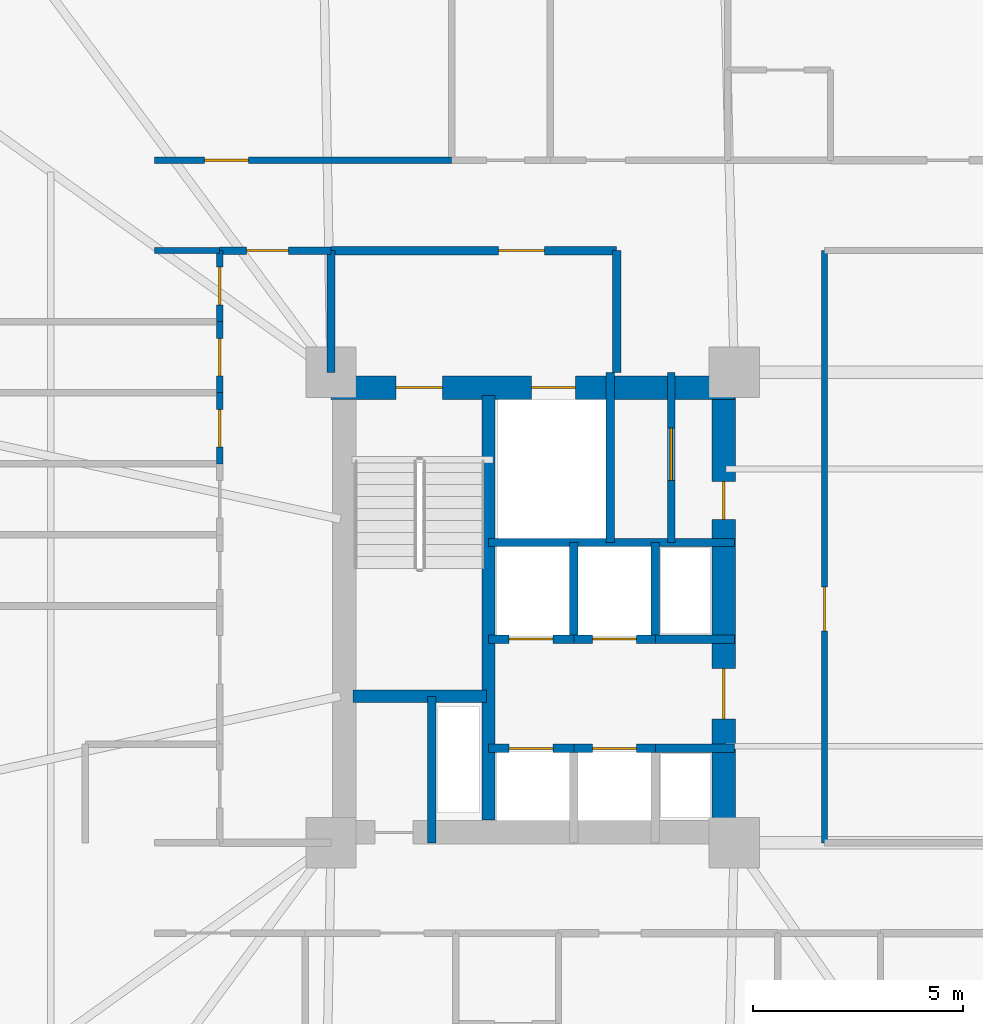
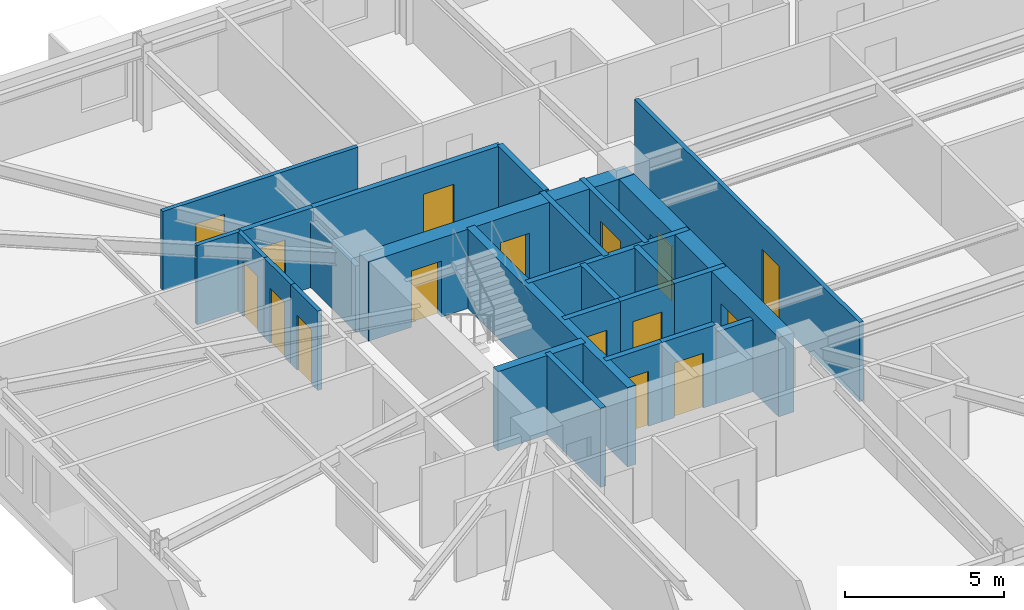
# One storey, part 15 of 21: 26 walls, 16 doors, 16 openings.
"""IFC4 building model written with IfcOpenShell, lengths in metres."""

from ifc_helpers import new_model, si_unit, direction, frame, frame_2d, origin, place, context, subcontext, project, spatial, rectangle, extrude, material, layer, layer_set, type_object, element, fill, save


model = new_model("IFC4")

# Units and contexts
model_context = context("Model", 3, precision=1e-05, world=origin(), true_north=direction((0.0, 1.0)))
body_context = subcontext(model_context, "Body", "Model", "MODEL_VIEW")
ifc_project = project(units=[si_unit("LENGTHUNIT", "METRE"), si_unit("AREAUNIT", "SQUARE_METRE"), si_unit("VOLUMEUNIT", "CUBIC_METRE"), si_unit("PLANEANGLEUNIT", "RADIAN"), si_unit("MASSUNIT", "GRAM", prefix="KILO")], contexts=[model_context])

# Site, building, storey
site_placement = place(None, origin())
site = spatial("IfcSite", under=ifc_project, at=site_placement, CompositionType="ELEMENT")
building_placement = place(site_placement, origin())
building = spatial("IfcBuilding", under=site, at=building_placement, Name="Qobustan Lattice House", CompositionType="ELEMENT")
storey_placement = place(building_placement, frame((0.0, 0.0, 30.35009765625)))
storey = spatial("IfcBuildingStorey", under=building, at=storey_placement, Name="L07", CompositionType="ELEMENT", Elevation=30.35009765625)

# Wall, openings, doors
ifc_material_1 = material(Name="Concrete C60/75", Category="concrete")
ifc_layer_1 = layer(ifc_material_1, 0.56005859375)
ifc_layer_set_1 = layer_set([ifc_layer_1], Name="Concrete C60/75")
wall_type_1 = type_object("IfcWallType", Name="WAL-CORE-600", PredefinedType="SHEAR", material=ifc_layer_set_1)
wall_1_placement = place(storey_placement, frame((-18.800048828125, 5.239990234375, 0.0), z_axis=(0.0, 0.0, 1.0), x_axis=(1.0, 0.0, 0.0)))
wall_1 = element("IfcWall", 1, at=wall_1_placement, inside=storey, type_object=wall_type_1, Name="L07 split-core shear wall CW-N", PredefinedType="SHEAR", context=body_context, shape_type="SweptSolid", body=[
    extrude(rectangle(XDim=9.60009765625, YDim=0.56005859375, at=frame_2d((4.800048828125, 0.0))), origin(), (0.0, 0.0, 1.0), 3.034912109375),
])
opening_1_placement = place(wall_1_placement, frame((1.550048828125, 0.0, 0.0)))
opening_1 = element("IfcOpeningElement", 2, at=opening_1_placement, cuts=wall_1, Name="Opening SD-01", PredefinedType="OPENING", context=body_context, shape_type="SweptSolid", body=[
    extrude(rectangle(XDim=1.10009765625, YDim=2.14990234375, at=frame_2d((0.550048828125, 1.074951171875))), frame((0.0, 0.2900390625, 0.0), z_axis=(0.0, -1.0, 0.0), x_axis=(1.0, 0.0, 0.0)), (0.0, 0.0, 1.0), 0.580078125),
])
opening_2_placement = place(wall_1_placement, frame((4.77490234375, 0.0, 0.0)))
opening_2 = element("IfcOpeningElement", 3, at=opening_2_placement, cuts=wall_1, Name="Opening LD-01", PredefinedType="OPENING", context=body_context, shape_type="SweptSolid", body=[
    extrude(rectangle(XDim=1.050048828125, YDim=2.10009765625, at=frame_2d((0.52490234375, 1.050048828125))), frame((0.0, 0.2900390625, 0.0), z_axis=(0.0, -1.0, 0.0), x_axis=(1.0, 0.0, 0.0)), (0.0, 0.0, 1.0), 0.580078125),
])
ifc_material_2 = material(Name="Persian walnut timber and steel frame door", Category="steel")
door_type_1 = type_object("IfcDoorType", Name="DOR-LIFT-LD-1050x2100", OperationType="NOTDEFINED", PredefinedType="DOOR", material=ifc_material_2)
door_1_placement = place(opening_2_placement, origin())
door_1 = element("IfcDoor", 4, at=door_1_placement, inside=storey, type_object=door_type_1, Name="L07 firefighting lift FF-W landing door", OperationType="DOUBLE_DOOR_SLIDING", OverallHeight=2.10009765625, OverallWidth=1.050048828125, PredefinedType="DOOR", context=body_context, shape_type="SweptSolid", body=[
    extrude(rectangle(XDim=1.050048828125, YDim=2.10009765625, at=frame_2d((0.52490234375, 1.050048828125))), frame((0.0, 0.02490234375, 0.0), z_axis=(0.0, -1.0, 0.0), x_axis=(1.0, 0.0, 0.0)), (0.0, 0.0, 1.0), 0.050048828125),
])
fill(opening_2, door_1)
ifc_material_3 = material(Name="Persian walnut timber and steel frame door", Category="steel")
door_type_2 = type_object("IfcDoorType", Name="DOR-STAIR-FD-1100x2150", OperationType="NOTDEFINED", PredefinedType="DOOR", material=ifc_material_3)
door_2_placement = place(opening_1_placement, origin())
door_2 = element("IfcDoor", 5, at=door_2_placement, inside=storey, type_object=door_type_2, Name="L07 exit stair ST-W1 fire door", OperationType="SINGLE_SWING_RIGHT", OverallHeight=2.14990234375, OverallWidth=1.10009765625, PredefinedType="DOOR", context=body_context, shape_type="SweptSolid", body=[
    extrude(rectangle(XDim=1.10009765625, YDim=2.14990234375, at=frame_2d((0.550048828125, 1.074951171875))), frame((0.0, 0.02490234375, 0.0), z_axis=(0.0, -1.0, 0.0), x_axis=(1.0, 0.0, 0.0)), (0.0, 0.0, 1.0), 0.050048828125),
])
fill(opening_1, door_2)

wall_2_placement = place(storey_placement, frame((-9.449951171875, -5.050048828125, 0.0), z_axis=(0.0, 0.0, 1.0), x_axis=(0.0, 1.0, 0.0)))
wall_2 = element("IfcWall", 6, at=wall_2_placement, inside=storey, type_object=wall_type_1, Name="L07 split-core shear wall CW-E", PredefinedType="SHEAR", context=body_context, shape_type="SweptSolid", body=[
    extrude(rectangle(XDim=10.10009765625, YDim=0.56005859375, at=frame_2d((5.050048828125, 0.0))), origin(), (0.0, 0.0, 1.0), 3.034912109375),
])
opening_3_placement = place(wall_2_placement, frame((7.14990234375, 0.0, 0.0)))
opening_3 = element("IfcOpeningElement", 7, at=opening_3_placement, cuts=wall_2, Name="Opening RD-01", PredefinedType="OPENING", context=body_context, shape_type="SweptSolid", body=[
    extrude(rectangle(XDim=0.89990234375, YDim=2.10009765625, at=frame_2d((0.449951171875, 1.050048828125))), frame((0.0, 0.2900390625, 0.0), z_axis=(0.0, -1.0, 0.0), x_axis=(1.0, 0.0, 0.0)), (0.0, 0.0, 1.0), 0.580078125),
])
opening_4_placement = place(wall_2_placement, frame((2.39990234375, 0.0, 0.0)))
opening_4 = element("IfcOpeningElement", 8, at=opening_4_placement, cuts=wall_2, Name="Opening FD-01", PredefinedType="OPENING", context=body_context, shape_type="SweptSolid", body=[
    extrude(rectangle(XDim=1.199951171875, YDim=2.14990234375, at=frame_2d((0.60009765625, 1.074951171875))), frame((0.0, 0.2900390625, 0.0), z_axis=(0.0, -1.0, 0.0), x_axis=(1.0, 0.0, 0.0)), (0.0, 0.0, 1.0), 0.580078125),
])
ifc_material_4 = material(Name="Persian walnut timber and steel frame door", Category="steel")
door_type_3 = type_object("IfcDoorType", Name="DOR-LOBBY-FD-1200x2150", OperationType="NOTDEFINED", PredefinedType="DOOR", material=ifc_material_4)
door_3_placement = place(opening_4_placement, origin())
door_3 = element("IfcDoor", 9, at=door_3_placement, inside=storey, type_object=door_type_3, Name="L07 West passenger lift lobby fire door", OperationType="SINGLE_SWING_LEFT", OverallHeight=2.14990234375, OverallWidth=1.199951171875, PredefinedType="DOOR", context=body_context, shape_type="SweptSolid", body=[
    extrude(rectangle(XDim=1.199951171875, YDim=2.14990234375, at=frame_2d((0.60009765625, 1.074951171875))), frame((0.0, 0.02490234375, 0.0), z_axis=(0.0, -1.0, 0.0), x_axis=(1.0, 0.0, 0.0)), (0.0, 0.0, 1.0), 0.050048828125),
])
fill(opening_4, door_3)
ifc_material_5 = material(Name="Persian walnut timber and steel frame door", Category="steel")
door_type_4 = type_object("IfcDoorType", Name="DOR-RISER-FD-900x2100", OperationType="NOTDEFINED", PredefinedType="DOOR", material=ifc_material_5)
door_4_placement = place(opening_3_placement, origin())
door_4 = element("IfcDoor", 10, at=door_4_placement, inside=storey, type_object=door_type_4, Name="L07 Data comms closet fire door", OperationType="SINGLE_SWING_RIGHT", OverallHeight=2.10009765625, OverallWidth=0.89990234375, PredefinedType="DOOR", context=body_context, shape_type="SweptSolid", body=[
    extrude(rectangle(XDim=0.89990234375, YDim=2.10009765625, at=frame_2d((0.449951171875, 1.050048828125))), frame((0.0, 0.02490234375, 0.0), z_axis=(0.0, -1.0, 0.0), x_axis=(1.0, 0.0, 0.0)), (0.0, 0.0, 1.0), 0.050048828125),
])
fill(opening_3, door_4)

# Walls
ifc_material_6 = material(Name="Concrete C50/60", Category="concrete")
ifc_layer_2 = layer(ifc_material_6, 0.280029296875)
ifc_layer_set_2 = layer_set([ifc_layer_2], Name="Concrete C50/60")
wall_type_2 = type_object("IfcWallType", Name="WAL-CORE-SPINE-280", PredefinedType="SHEAR", material=ifc_layer_set_2)
wall_3_placement = place(storey_placement, frame((-15.050048828125, -5.050048828125, 0.0), z_axis=(0.0, 0.0, 1.0), x_axis=(0.0, 1.0, 0.0)))
element("IfcWall", 11, at=wall_3_placement, inside=storey, type_object=wall_type_2, Name="L07 split-core shear wall CW-M", PredefinedType="SHEAR", context=body_context, shape_type="SweptSolid", body=[
    extrude(rectangle(XDim=10.10009765625, YDim=0.300048828125, at=frame_2d((5.050048828125, 0.0))), origin(), (0.0, 0.0, 1.0), 3.034912109375),
])
wall_4_placement = place(storey_placement, frame((-18.280029296875, -2.110107421875, 0.0), z_axis=(0.0, 0.0, 1.0), x_axis=(1.0, 0.0, 0.0)))
element("IfcWall", 12, at=wall_4_placement, inside=storey, type_object=wall_type_2, Name="L07 split-core shear wall CW-ST", PredefinedType="SHEAR", context=body_context, shape_type="SweptSolid", body=[
    extrude(rectangle(XDim=3.179931640625, YDim=0.300048828125, at=frame_2d((1.58984375, 0.0))), origin(), (0.0, 0.0, 1.0), 3.034912109375),
])

# Wall, opening, door
ifc_material_7 = material(Name="Gypsum fireboard acoustic partition", Category="gypsum")
ifc_layer_3 = layer(ifc_material_7, 0.179931640625)
ifc_layer_set_3 = layer_set([ifc_layer_3], Name="Gypsum fireboard acoustic partition")
wall_type_3 = type_object("IfcWallType", Name="WAL-FIRE-180", PredefinedType="PARTITIONING", material=ifc_layer_set_3)
wall_5_placement = place(storey_placement, frame((-10.699951171875, 5.60009765625, 0.0), z_axis=(0.0, 0.0, 1.0), x_axis=(0.0, -1.0, 0.0)))
wall_5 = element("IfcWall", 13, at=wall_5_placement, inside=storey, type_object=wall_type_3, Name="L07 interior partition 6", PredefinedType="PARTITIONING", context=body_context, shape_type="SweptSolid", body=[
    extrude(rectangle(XDim=4.050048828125, YDim=0.179931640625, at=frame_2d((2.02490234375, 0.0))), origin(), (0.0, 0.0, 1.0), 3.034912109375),
])
opening_5_placement = place(wall_5_placement, frame((1.324951171875, 0.0, 0.0)))
opening_5 = element("IfcOpeningElement", 14, at=opening_5_placement, cuts=wall_5, Name="Opening FD-03", PredefinedType="OPENING", context=body_context, shape_type="SweptSolid", body=[
    extrude(rectangle(XDim=1.25, YDim=2.199951171875, at=frame_2d((0.625, 1.10009765625))), frame((0.0, 0.099853515625, 0.0), z_axis=(0.0, -1.0, 0.0), x_axis=(1.0, 0.0, 0.0)), (0.0, 0.0, 1.0), 0.199951171875),
])
ifc_material_8 = material(Name="Persian walnut timber and steel frame door", Category="steel")
door_type_5 = type_object("IfcDoorType", Name="DOR-PLANT-1250x2200", OperationType="NOTDEFINED", PredefinedType="DOOR", material=ifc_material_8)
door_5_placement = place(opening_5_placement, origin())
door_5 = element("IfcDoor", 15, at=door_5_placement, inside=storey, type_object=door_type_5, Name="L07 Data comms closet to Linen store door", OperationType="SINGLE_SWING_LEFT", OverallHeight=2.199951171875, OverallWidth=1.25, PredefinedType="DOOR", context=body_context, shape_type="SweptSolid", body=[
    extrude(rectangle(XDim=1.25, YDim=2.199951171875, at=frame_2d((0.625, 1.10009765625))), frame((0.0, 0.02490234375, 0.0), z_axis=(0.0, -1.0, 0.0), x_axis=(1.0, 0.0, 0.0)), (0.0, 0.0, 1.0), 0.050048828125),
])
fill(opening_5, door_5)

wall_6_placement = place(storey_placement, frame((-18.800048828125, 8.5, 0.0), z_axis=(0.0, 0.0, 1.0), x_axis=(-1.0, 0.0, 0.0)))
wall_6 = element("IfcWall", 16, at=wall_6_placement, inside=storey, type_object=wall_type_3, Name="L07 interior partition 38", PredefinedType="PARTITIONING", context=body_context, shape_type="SweptSolid", body=[
    extrude(rectangle(XDim=2.64990234375, YDim=0.179931640625, at=frame_2d((1.324951171875, 0.0))), origin(), (0.0, 0.0, 1.0), 3.034912109375),
])
opening_6_placement = place(wall_6_placement, frame((1.0087890625, 0.0, 0.0)))
opening_6 = element("IfcOpeningElement", 17, at=opening_6_placement, cuts=wall_6, Name="Opening FD-02", PredefinedType="OPENING", context=body_context, shape_type="SweptSolid", body=[
    extrude(rectangle(XDim=1.0, YDim=2.14990234375, at=frame_2d((0.5, 1.074951171875))), frame((0.0, 0.099853515625, 0.0), z_axis=(0.0, -1.0, 0.0), x_axis=(1.0, 0.0, 0.0)), (0.0, 0.0, 1.0), 0.199951171875),
])
ifc_material_9 = material(Name="Persian walnut timber and steel frame door", Category="steel")
door_type_6 = type_object("IfcDoorType", Name="DOR-UNIT-FD-1000x2150", OperationType="NOTDEFINED", PredefinedType="DOOR", material=ifc_material_9)
door_6_placement = place(opening_6_placement, origin())
door_6 = element("IfcDoor", 18, at=door_6_placement, inside=storey, type_object=door_type_6, Name="L07 North-west floor corridor to Residence entrance hall L07W door", OperationType="SINGLE_SWING_RIGHT", OverallHeight=2.14990234375, OverallWidth=1.0, PredefinedType="DOOR", context=body_context, shape_type="SweptSolid", body=[
    extrude(rectangle(XDim=1.0, YDim=2.14990234375, at=frame_2d((0.5, 1.074951171875))), frame((0.0, 0.02490234375, 0.0), z_axis=(0.0, -1.0, 0.0), x_axis=(1.0, 0.0, 0.0)), (0.0, 0.0, 1.0), 0.050048828125),
])
fill(opening_6, door_6)

# Wall
ifc_material_10 = material(Name="Acoustic twin-stud gypsum partition", Category="gypsum")
ifc_layer_4 = layer(ifc_material_10, 0.14990234375)
ifc_layer_set_4 = layer_set([ifc_layer_4], Name="Acoustic twin-stud gypsum partition")
wall_type_4 = type_object("IfcWallType", Name="WAL-PART-150", PredefinedType="PARTITIONING", material=ifc_layer_set_4)
wall_7_placement = place(storey_placement, frame((-21.449951171875, 8.5, 0.0), z_axis=(0.0, 0.0, 1.0), x_axis=(-1.0, 0.0, 0.0)))
element("IfcWall", 19, at=wall_7_placement, inside=storey, type_object=wall_type_4, Name="L07 interior partition 39", PredefinedType="PARTITIONING", context=body_context, shape_type="SweptSolid", body=[
    extrude(rectangle(XDim=1.550048828125, YDim=0.14990234375, at=frame_2d((0.77490234375, 0.0))), origin(), (0.0, 0.0, 1.0), 3.034912109375),
])

# Wall, opening, door
wall_8_placement = place(storey_placement, frame((-23.0, 10.64990234375, 0.0), z_axis=(0.0, 0.0, 1.0), x_axis=(1.0, 0.0, 0.0)))
wall_8 = element("IfcWall", 20, at=wall_8_placement, inside=storey, type_object=wall_type_4, Name="L07 interior partition 40", PredefinedType="PARTITIONING", context=body_context, shape_type="SweptSolid", body=[
    extrude(rectangle(XDim=7.071044921875, YDim=0.14990234375, at=frame_2d((3.53564453125, 0.0))), origin(), (0.0, 0.0, 1.0), 3.034912109375),
])
opening_7_placement = place(wall_8_placement, frame((1.1875, 0.0, 0.0)))
opening_7 = element("IfcOpeningElement", 21, at=opening_7_placement, cuts=wall_8, Name="Opening ID-02", PredefinedType="OPENING", context=body_context, shape_type="SweptSolid", body=[
    extrude(rectangle(XDim=1.050048828125, YDim=2.14990234375, at=frame_2d((0.52490234375, 1.074951171875))), frame((0.0, 0.0849609375, 0.0), z_axis=(0.0, -1.0, 0.0), x_axis=(1.0, 0.0, 0.0)), (0.0, 0.0, 1.0), 0.169921875),
])
ifc_material_11 = material(Name="Persian walnut timber and steel frame door", Category="steel")
door_type_7 = type_object("IfcDoorType", Name="DOR-STUDY-1050x2150", OperationType="NOTDEFINED", PredefinedType="DOOR", material=ifc_material_11)
door_7_placement = place(opening_7_placement, origin())
door_7 = element("IfcDoor", 22, at=door_7_placement, inside=storey, type_object=door_type_7, Name="L07 North-west floor corridor to Focus study room N1 door", OperationType="SINGLE_SWING_LEFT", OverallHeight=2.14990234375, OverallWidth=1.050048828125, PredefinedType="DOOR", context=body_context, shape_type="SweptSolid", body=[
    extrude(rectangle(XDim=1.050048828125, YDim=2.14990234375, at=frame_2d((0.52490234375, 1.074951171875))), frame((0.0, 0.02490234375, 0.0), z_axis=(0.0, -1.0, 0.0), x_axis=(1.0, 0.0, 0.0)), (0.0, 0.0, 1.0), 0.050048828125),
])
fill(opening_7, door_7)

wall_9_placement = place(storey_placement, frame((-7.050048828125, 8.5, 0.0), z_axis=(0.0, 0.0, 1.0), x_axis=(0.0, -1.0, 0.0)))
wall_9 = element("IfcWall", 23, at=wall_9_placement, inside=storey, type_object=wall_type_4, Name="L07 interior partition 75", PredefinedType="PARTITIONING", context=body_context, shape_type="SweptSolid", body=[
    extrude(rectangle(XDim=14.10009765625, YDim=0.14990234375, at=frame_2d((7.050048828125, 0.0))), origin(), (0.0, 0.0, 1.0), 3.034912109375),
])
opening_8_placement = place(wall_9_placement, frame((8.01123046875, 0.0, 0.0)))
opening_8 = element("IfcOpeningElement", 24, at=opening_8_placement, cuts=wall_9, Name="Opening ID-02", PredefinedType="OPENING", context=body_context, shape_type="SweptSolid", body=[
    extrude(rectangle(XDim=1.050048828125, YDim=2.14990234375, at=frame_2d((0.52490234375, 1.074951171875))), frame((0.0, 0.0849609375, 0.0), z_axis=(0.0, -1.0, 0.0), x_axis=(1.0, 0.0, 0.0)), (0.0, 0.0, 1.0), 0.169921875),
])
door_8_placement = place(opening_8_placement, origin())
door_8 = element("IfcDoor", 25, at=door_8_placement, inside=storey, type_object=door_type_7, Name="L07 West floor link corridor to Central silent study room door", OperationType="SINGLE_SWING_RIGHT", OverallHeight=2.14990234375, OverallWidth=1.050048828125, PredefinedType="DOOR", context=body_context, shape_type="SweptSolid", body=[
    extrude(rectangle(XDim=1.050048828125, YDim=2.14990234375, at=frame_2d((0.52490234375, 1.074951171875))), frame((0.0, 0.02490234375, 0.0), z_axis=(0.0, -1.0, 0.0), x_axis=(1.0, 0.0, 0.0)), (0.0, 0.0, 1.0), 0.050048828125),
])
fill(opening_8, door_8)

wall_10_placement = place(storey_placement, frame((-21.449951171875, 3.424072265625, 0.0), z_axis=(0.0, 0.0, 1.0), x_axis=(0.0, 1.0, 0.0)))
wall_10 = element("IfcWall", 26, at=wall_10_placement, inside=storey, type_object=wall_type_4, Name="L07 interior partition 82", PredefinedType="PARTITIONING", context=body_context, shape_type="SweptSolid", body=[
    extrude(rectangle(XDim=1.69189453125, YDim=0.14990234375, at=frame_2d((0.845947265625, 0.0))), origin(), (0.0, 0.0, 1.0), 3.034912109375),
])
opening_9_placement = place(wall_10_placement, frame((0.39599609375, 0.0, 0.0)))
opening_9 = element("IfcOpeningElement", 27, at=opening_9_placement, cuts=wall_10, Name="Opening WD-01", PredefinedType="OPENING", context=body_context, shape_type="SweptSolid", body=[
    extrude(rectangle(XDim=0.89990234375, YDim=2.10009765625, at=frame_2d((0.449951171875, 1.050048828125))), frame((0.0, 0.0849609375, 0.0), z_axis=(0.0, -1.0, 0.0), x_axis=(1.0, 0.0, 0.0)), (0.0, 0.0, 1.0), 0.169921875),
])
ifc_material_12 = material(Name="Persian walnut timber and steel frame door", Category="steel")
door_type_8 = type_object("IfcDoorType", Name="DOR-WET-900x2100", OperationType="NOTDEFINED", PredefinedType="DOOR", material=ifc_material_12)
door_9_placement = place(opening_9_placement, origin())
door_9 = element("IfcDoor", 28, at=door_9_placement, inside=storey, type_object=door_type_8, Name="L07 Residence entrance hall L07W to Cluster bedroom L07W3 door", OperationType="SINGLE_SWING_LEFT", OverallHeight=2.10009765625, OverallWidth=0.89990234375, PredefinedType="DOOR", context=body_context, shape_type="SweptSolid", body=[
    extrude(rectangle(XDim=0.89990234375, YDim=2.10009765625, at=frame_2d((0.449951171875, 1.050048828125))), frame((0.0, 0.02490234375, 0.0), z_axis=(0.0, -1.0, 0.0), x_axis=(1.0, 0.0, 0.0)), (0.0, 0.0, 1.0), 0.050048828125),
])
fill(opening_9, door_9)

wall_11_placement = place(storey_placement, frame((-21.449951171875, 5.115966796875, 0.0), z_axis=(0.0, 0.0, 1.0), x_axis=(0.0, 1.0, 0.0)))
wall_11 = element("IfcWall", 29, at=wall_11_placement, inside=storey, type_object=wall_type_4, Name="L07 interior partition 83", PredefinedType="PARTITIONING", context=body_context, shape_type="SweptSolid", body=[
    extrude(rectangle(XDim=1.692138671875, YDim=0.14990234375, at=frame_2d((0.84619140625, 0.0))), origin(), (0.0, 0.0, 1.0), 3.034912109375),
])
opening_10_placement = place(wall_11_placement, frame((0.39599609375, 0.0, 0.0)))
opening_10 = element("IfcOpeningElement", 30, at=opening_10_placement, cuts=wall_11, Name="Opening WD-01", PredefinedType="OPENING", context=body_context, shape_type="SweptSolid", body=[
    extrude(rectangle(XDim=0.89990234375, YDim=2.10009765625, at=frame_2d((0.449951171875, 1.050048828125))), frame((0.0, 0.0849609375, 0.0), z_axis=(0.0, -1.0, 0.0), x_axis=(1.0, 0.0, 0.0)), (0.0, 0.0, 1.0), 0.169921875),
])
door_10_placement = place(opening_10_placement, origin())
door_10 = element("IfcDoor", 31, at=door_10_placement, inside=storey, type_object=door_type_8, Name="L07 Residence entrance hall L07W to Cluster bedroom L07W4 door", OperationType="SINGLE_SWING_RIGHT", OverallHeight=2.10009765625, OverallWidth=0.89990234375, PredefinedType="DOOR", context=body_context, shape_type="SweptSolid", body=[
    extrude(rectangle(XDim=0.89990234375, YDim=2.10009765625, at=frame_2d((0.449951171875, 1.050048828125))), frame((0.0, 0.02490234375, 0.0), z_axis=(0.0, -1.0, 0.0), x_axis=(1.0, 0.0, 0.0)), (0.0, 0.0, 1.0), 0.050048828125),
])
fill(opening_10, door_10)

wall_12_placement = place(storey_placement, frame((-21.449951171875, 6.80810546875, 0.0), z_axis=(0.0, 0.0, 1.0), x_axis=(0.0, 1.0, 0.0)))
wall_12 = element("IfcWall", 32, at=wall_12_placement, inside=storey, type_object=wall_type_4, Name="L07 interior partition 84", PredefinedType="PARTITIONING", context=body_context, shape_type="SweptSolid", body=[
    extrude(rectangle(XDim=1.69189453125, YDim=0.14990234375, at=frame_2d((0.845947265625, 0.0))), origin(), (0.0, 0.0, 1.0), 3.034912109375),
])
opening_11_placement = place(wall_12_placement, frame((0.39599609375, 0.0, 0.0)))
opening_11 = element("IfcOpeningElement", 33, at=opening_11_placement, cuts=wall_12, Name="Opening WD-01", PredefinedType="OPENING", context=body_context, shape_type="SweptSolid", body=[
    extrude(rectangle(XDim=0.89990234375, YDim=2.10009765625, at=frame_2d((0.449951171875, 1.050048828125))), frame((0.0, 0.0849609375, 0.0), z_axis=(0.0, -1.0, 0.0), x_axis=(1.0, 0.0, 0.0)), (0.0, 0.0, 1.0), 0.169921875),
])
door_11_placement = place(opening_11_placement, origin())
door_11 = element("IfcDoor", 34, at=door_11_placement, inside=storey, type_object=door_type_8, Name="L07 Residence entrance hall L07W to Cluster bedroom L07W5 door", OperationType="SINGLE_SWING_LEFT", OverallHeight=2.10009765625, OverallWidth=0.89990234375, PredefinedType="DOOR", context=body_context, shape_type="SweptSolid", body=[
    extrude(rectangle(XDim=0.89990234375, YDim=2.10009765625, at=frame_2d((0.449951171875, 1.050048828125))), frame((0.0, 0.02490234375, 0.0), z_axis=(0.0, -1.0, 0.0), x_axis=(1.0, 0.0, 0.0)), (0.0, 0.0, 1.0), 0.050048828125),
])
fill(opening_11, door_11)

ifc_material_13 = material(Name="Two-hour gypsum fireboard acoustic partition", Category="gypsum")
ifc_layer_5 = layer(ifc_material_13, 0.199951171875)
ifc_layer_set_5 = layer_set([ifc_layer_5], Name="Two-hour gypsum fireboard acoustic partition")
wall_type_5 = type_object("IfcWallType", Name="WAL-PROT-200", PredefinedType="PARTITIONING", material=ifc_layer_set_5)
wall_13_placement = place(storey_placement, frame((-12.0, 8.5, 0.0), z_axis=(0.0, 0.0, 1.0), x_axis=(-1.0, 0.0, 0.0)))
wall_13 = element("IfcWall", 35, at=wall_13_placement, inside=storey, type_object=wall_type_5, Name="L07 interior partition 3", PredefinedType="PARTITIONING", context=body_context, shape_type="SweptSolid", body=[
    extrude(rectangle(XDim=6.800048828125, YDim=0.199951171875, at=frame_2d((3.39990234375, 0.0))), origin(), (0.0, 0.0, 1.0), 3.034912109375),
])
opening_12_placement = place(wall_13_placement, frame((1.715087890625, 0.0, 0.0)))
opening_12 = element("IfcOpeningElement", 36, at=opening_12_placement, cuts=wall_13, Name="Opening SD-01", PredefinedType="OPENING", context=body_context, shape_type="SweptSolid", body=[
    extrude(rectangle(XDim=1.10009765625, YDim=2.14990234375, at=frame_2d((0.550048828125, 1.074951171875))), frame((0.0, 0.10986328125, 0.0), z_axis=(0.0, -1.0, 0.0), x_axis=(1.0, 0.0, 0.0)), (0.0, 0.0, 1.0), 0.219970703125),
])
door_12_placement = place(opening_12_placement, origin())
door_12 = element("IfcDoor", 37, at=door_12_placement, inside=storey, type_object=door_type_2, Name="L07 West firefighting lift lobby to North-west floor corridor door", OperationType="SINGLE_SWING_RIGHT", OverallHeight=2.14990234375, OverallWidth=1.10009765625, PredefinedType="DOOR", context=body_context, shape_type="SweptSolid", body=[
    extrude(rectangle(XDim=1.10009765625, YDim=2.14990234375, at=frame_2d((0.550048828125, 1.074951171875))), frame((0.0, 0.02490234375, 0.0), z_axis=(0.0, -1.0, 0.0), x_axis=(1.0, 0.0, 0.0)), (0.0, 0.0, 1.0), 0.050048828125),
])
fill(opening_12, door_12)

# Walls
wall_14_placement = place(storey_placement, frame((-12.0, 5.60009765625, 0.0), z_axis=(0.0, 0.0, 1.0), x_axis=(0.0, 1.0, 0.0)))
element("IfcWall", 38, at=wall_14_placement, inside=storey, type_object=wall_type_5, Name="L07 interior partition 4", PredefinedType="PARTITIONING", context=body_context, shape_type="SweptSolid", body=[
    extrude(rectangle(XDim=2.89990234375, YDim=0.199951171875, at=frame_2d((1.449951171875, 0.0))), origin(), (0.0, 0.0, 1.0), 3.034912109375),
])
wall_15_placement = place(storey_placement, frame((-18.800048828125, 8.5, 0.0), z_axis=(0.0, 0.0, 1.0), x_axis=(0.0, -1.0, 0.0)))
element("IfcWall", 39, at=wall_15_placement, inside=storey, type_object=wall_type_5, Name="L07 interior partition 5", PredefinedType="PARTITIONING", context=body_context, shape_type="SweptSolid", body=[
    extrude(rectangle(XDim=2.89990234375, YDim=0.199951171875, at=frame_2d((1.449951171875, 0.0))), origin(), (0.0, 0.0, 1.0), 2.52001953125),
])
ifc_material_14 = material(Name="Concrete C40/50", Category="concrete")
ifc_layer_6 = layer(ifc_material_14, 0.199951171875)
ifc_layer_set_6 = layer_set([ifc_layer_6], Name="Concrete C40/50")
wall_type_6 = type_object("IfcWallType", Name="WAL-SHAFT-200", PredefinedType="PARTITIONING", material=ifc_layer_set_6)
wall_16_placement = place(storey_placement, frame((-16.39990234375, -5.60009765625, 0.0), z_axis=(0.0, 0.0, 1.0), x_axis=(0.0, 1.0, 0.0)))
element("IfcWall", 40, at=wall_16_placement, inside=storey, type_object=wall_type_6, Name="L07 interior partition 1", PredefinedType="PARTITIONING", context=body_context, shape_type="SweptSolid", body=[
    extrude(rectangle(XDim=3.489990234375, YDim=0.199951171875, at=frame_2d((1.7451171875, 0.0))), origin(), (0.0, 0.0, 1.0), 3.034912109375),
])
wall_17_placement = place(storey_placement, frame((-12.14990234375, 1.550048828125, 0.0), z_axis=(0.0, 0.0, 1.0), x_axis=(0.0, 1.0, 0.0)))
element("IfcWall", 41, at=wall_17_placement, inside=storey, type_object=wall_type_6, Name="L07 interior partition 2", PredefinedType="PARTITIONING", context=body_context, shape_type="SweptSolid", body=[
    extrude(rectangle(XDim=4.050048828125, YDim=0.199951171875, at=frame_2d((2.02490234375, 0.0))), origin(), (0.0, 0.0, 1.0), 3.034912109375),
])

# Wall, opening, door
wall_18_placement = place(storey_placement, frame((-15.050048828125, -3.35009765625, 0.0), z_axis=(0.0, 0.0, 1.0), x_axis=(1.0, 0.0, 0.0)))
wall_18 = element("IfcWall", 42, at=wall_18_placement, inside=storey, type_object=wall_type_6, Name="L07 interior partition 8", PredefinedType="PARTITIONING", context=body_context, shape_type="SweptSolid", body=[
    extrude(rectangle(XDim=2.030029296875, YDim=0.199951171875, at=frame_2d((1.01513671875, 0.0))), origin(), (0.0, 0.0, 1.0), 3.034912109375),
])
opening_13_placement = place(wall_18_placement, frame((0.489990234375, 0.0, 0.0)))
opening_13 = element("IfcOpeningElement", 43, at=opening_13_placement, cuts=wall_18, Name="Opening LD-01", PredefinedType="OPENING", context=body_context, shape_type="SweptSolid", body=[
    extrude(rectangle(XDim=1.050048828125, YDim=2.10009765625, at=frame_2d((0.52490234375, 1.050048828125))), frame((0.0, 0.10986328125, 0.0), z_axis=(0.0, -1.0, 0.0), x_axis=(1.0, 0.0, 0.0)), (0.0, 0.0, 1.0), 0.219970703125),
])
door_13_placement = place(opening_13_placement, origin())
door_13 = element("IfcDoor", 44, at=door_13_placement, inside=storey, type_object=door_type_1, Name="L07 lift landing door", OperationType="DOUBLE_DOOR_SLIDING", OverallHeight=2.10009765625, OverallWidth=1.050048828125, PredefinedType="DOOR", context=body_context, shape_type="SweptSolid", body=[
    extrude(rectangle(XDim=1.050048828125, YDim=2.10009765625, at=frame_2d((0.52490234375, 1.050048828125))), frame((0.0, 0.02490234375, 0.0), z_axis=(0.0, -1.0, 0.0), x_axis=(1.0, 0.0, 0.0)), (0.0, 0.0, 1.0), 0.050048828125),
])
fill(opening_13, door_13)

wall_19_placement = place(storey_placement, frame((-13.02001953125, -3.35009765625, 0.0), z_axis=(0.0, 0.0, 1.0), x_axis=(1.0, 0.0, 0.0)))
wall_19 = element("IfcWall", 45, at=wall_19_placement, inside=storey, type_object=wall_type_6, Name="L07 interior partition 9", PredefinedType="PARTITIONING", context=body_context, shape_type="SweptSolid", body=[
    extrude(rectangle(XDim=1.93994140625, YDim=0.199951171875, at=frame_2d((0.969970703125, 0.0))), origin(), (0.0, 0.0, 1.0), 3.034912109375),
])
opening_14_placement = place(wall_19_placement, frame((0.445068359375, 0.0, 0.0)))
opening_14 = element("IfcOpeningElement", 46, at=opening_14_placement, cuts=wall_19, Name="Opening LD-01", PredefinedType="OPENING", context=body_context, shape_type="SweptSolid", body=[
    extrude(rectangle(XDim=1.050048828125, YDim=2.10009765625, at=frame_2d((0.52490234375, 1.050048828125))), frame((0.0, 0.10986328125, 0.0), z_axis=(0.0, -1.0, 0.0), x_axis=(1.0, 0.0, 0.0)), (0.0, 0.0, 1.0), 0.219970703125),
])
door_14_placement = place(opening_14_placement, origin())
door_14 = element("IfcDoor", 47, at=door_14_placement, inside=storey, type_object=door_type_1, Name="L07 lift landing door", OperationType="DOUBLE_DOOR_SLIDING", OverallHeight=2.10009765625, OverallWidth=1.050048828125, PredefinedType="DOOR", context=body_context, shape_type="SweptSolid", body=[
    extrude(rectangle(XDim=1.050048828125, YDim=2.10009765625, at=frame_2d((0.52490234375, 1.050048828125))), frame((0.0, 0.02490234375, 0.0), z_axis=(0.0, -1.0, 0.0), x_axis=(1.0, 0.0, 0.0)), (0.0, 0.0, 1.0), 0.050048828125),
])
fill(opening_14, door_14)

# Wall
wall_20_placement = place(storey_placement, frame((-11.080078125, -3.35009765625, 0.0), z_axis=(0.0, 0.0, 1.0), x_axis=(1.0, 0.0, 0.0)))
element("IfcWall", 48, at=wall_20_placement, inside=storey, type_object=wall_type_6, Name="L07 interior partition 10", PredefinedType="PARTITIONING", context=body_context, shape_type="SweptSolid", body=[
    extrude(rectangle(XDim=1.880126953125, YDim=0.199951171875, at=frame_2d((0.93994140625, 0.0))), origin(), (0.0, 0.0, 1.0), 2.75),
])

# Wall, opening, door
wall_21_placement = place(storey_placement, frame((-13.02001953125, -0.75, 0.0), z_axis=(0.0, 0.0, 1.0), x_axis=(-1.0, 0.0, 0.0)))
wall_21 = element("IfcWall", 49, at=wall_21_placement, inside=storey, type_object=wall_type_6, Name="L07 interior partition 11", PredefinedType="PARTITIONING", context=body_context, shape_type="SweptSolid", body=[
    extrude(rectangle(XDim=2.030029296875, YDim=0.199951171875, at=frame_2d((1.01513671875, 0.0))), origin(), (0.0, 0.0, 1.0), 3.034912109375),
])
opening_15_placement = place(wall_21_placement, frame((0.489990234375, 0.0, 0.0)))
opening_15 = element("IfcOpeningElement", 50, at=opening_15_placement, cuts=wall_21, Name="Opening LD-01", PredefinedType="OPENING", context=body_context, shape_type="SweptSolid", body=[
    extrude(rectangle(XDim=1.050048828125, YDim=2.10009765625, at=frame_2d((0.52490234375, 1.050048828125))), frame((0.0, 0.10986328125, 0.0), z_axis=(0.0, -1.0, 0.0), x_axis=(1.0, 0.0, 0.0)), (0.0, 0.0, 1.0), 0.219970703125),
])
door_15_placement = place(opening_15_placement, origin())
door_15 = element("IfcDoor", 51, at=door_15_placement, inside=storey, type_object=door_type_1, Name="L07 lift landing door", OperationType="DOUBLE_DOOR_SLIDING", OverallHeight=2.10009765625, OverallWidth=1.050048828125, PredefinedType="DOOR", context=body_context, shape_type="SweptSolid", body=[
    extrude(rectangle(XDim=1.050048828125, YDim=2.10009765625, at=frame_2d((0.52490234375, 1.050048828125))), frame((0.0, 0.02490234375, 0.0), z_axis=(0.0, -1.0, 0.0), x_axis=(1.0, 0.0, 0.0)), (0.0, 0.0, 1.0), 0.050048828125),
])
fill(opening_15, door_15)

wall_22_placement = place(storey_placement, frame((-11.080078125, -0.75, 0.0), z_axis=(0.0, 0.0, 1.0), x_axis=(-1.0, 0.0, 0.0)))
wall_22 = element("IfcWall", 52, at=wall_22_placement, inside=storey, type_object=wall_type_6, Name="L07 interior partition 12", PredefinedType="PARTITIONING", context=body_context, shape_type="SweptSolid", body=[
    extrude(rectangle(XDim=1.93994140625, YDim=0.199951171875, at=frame_2d((0.969970703125, 0.0))), origin(), (0.0, 0.0, 1.0), 3.034912109375),
])
opening_16_placement = place(wall_22_placement, frame((0.445068359375, 0.0, 0.0)))
opening_16 = element("IfcOpeningElement", 53, at=opening_16_placement, cuts=wall_22, Name="Opening LD-01", PredefinedType="OPENING", context=body_context, shape_type="SweptSolid", body=[
    extrude(rectangle(XDim=1.050048828125, YDim=2.10009765625, at=frame_2d((0.52490234375, 1.050048828125))), frame((0.0, 0.10986328125, 0.0), z_axis=(0.0, -1.0, 0.0), x_axis=(1.0, 0.0, 0.0)), (0.0, 0.0, 1.0), 0.219970703125),
])
door_16_placement = place(opening_16_placement, origin())
door_16 = element("IfcDoor", 54, at=door_16_placement, inside=storey, type_object=door_type_1, Name="L07 lift landing door", OperationType="DOUBLE_DOOR_SLIDING", OverallHeight=2.10009765625, OverallWidth=1.050048828125, PredefinedType="DOOR", context=body_context, shape_type="SweptSolid", body=[
    extrude(rectangle(XDim=1.050048828125, YDim=2.10009765625, at=frame_2d((0.52490234375, 1.050048828125))), frame((0.0, 0.02490234375, 0.0), z_axis=(0.0, -1.0, 0.0), x_axis=(1.0, 0.0, 0.0)), (0.0, 0.0, 1.0), 0.050048828125),
])
fill(opening_16, door_16)

# Walls
wall_23_placement = place(storey_placement, frame((-9.199951171875, -0.75, 0.0), z_axis=(0.0, 0.0, 1.0), x_axis=(-1.0, 0.0, 0.0)))
element("IfcWall", 55, at=wall_23_placement, inside=storey, type_object=wall_type_6, Name="L07 interior partition 13", PredefinedType="PARTITIONING", context=body_context, shape_type="SweptSolid", body=[
    extrude(rectangle(XDim=1.880126953125, YDim=0.199951171875, at=frame_2d((0.93994140625, 0.0))), origin(), (0.0, 0.0, 1.0), 3.034912109375),
])
for number, where, z_axis, x_axis, name in (
    (56, (-13.02001953125, -0.75, 0.0), (0.0, 0.0, 1.0), (0.0, 1.0, 0.0), "L07 interior partition 17"),
    (57, (-11.080078125, -0.75, 0.0), (0.0, 0.0, 1.0), (0.0, 1.0, 0.0), "L07 interior partition 18"),
):
    element("IfcWall", number, at=place(storey_placement, frame(where, z_axis=z_axis, x_axis=x_axis)), inside=storey, type_object=wall_type_6, Name=name, PredefinedType="PARTITIONING", context=body_context, shape_type="SweptSolid", body=[
        extrude(rectangle(XDim=2.300048828125, YDim=0.199951171875, at=frame_2d((1.14990234375, 0.0))), origin(), (0.0, 0.0, 1.0), 3.034912109375),
    ])
wall_24_placement = place(storey_placement, frame((-15.050048828125, 1.550048828125, 0.0), z_axis=(0.0, 0.0, 1.0), x_axis=(1.0, 0.0, 0.0)))
element("IfcWall", 58, at=wall_24_placement, inside=storey, type_object=wall_type_6, Name="L07 interior partition 147", PredefinedType="PARTITIONING", context=body_context, shape_type="SweptSolid", body=[
    extrude(rectangle(XDim=5.85009765625, YDim=0.199951171875, at=frame_2d((2.925048828125, 0.0))), origin(), (0.0, 0.0, 1.0), 3.034912109375),
])

save(model, "model.ifc")
